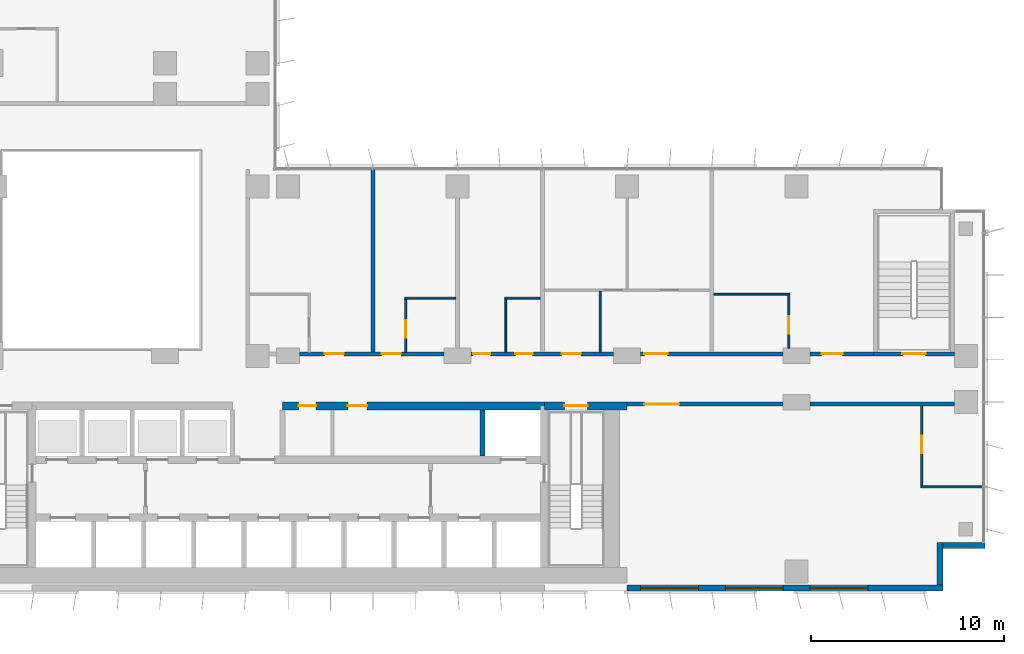
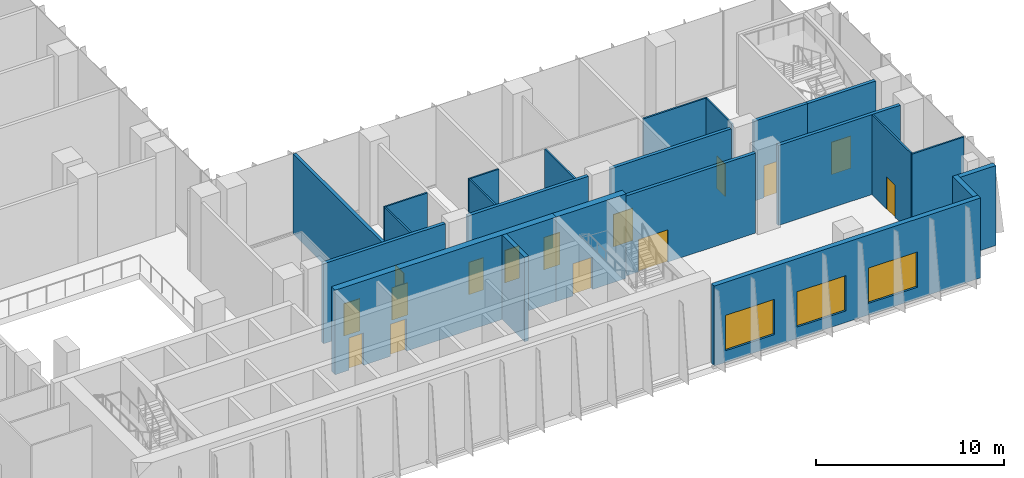
# One storey, part 14 of 26: 23 walls, 15 doors, 3 windows, 18 openings.
"""IFC4 building model written with IfcOpenShell, lengths in metres."""

from ifc_helpers import new_model, si_unit, direction, frame, frame_2d, origin, place, context, subcontext, project, spatial, rectangle, extrude, material, layer, layer_set, type_object, element, fill, save


model = new_model("IFC4")

# Units and contexts
model_context = context("Model", 3, precision=1e-05, world=origin(), true_north=direction((0.0, 1.0)))
body_context = subcontext(model_context, "Body", "Model", "MODEL_VIEW")
ifc_project = project(units=[si_unit("LENGTHUNIT", "METRE"), si_unit("AREAUNIT", "SQUARE_METRE"), si_unit("VOLUMEUNIT", "CUBIC_METRE"), si_unit("PLANEANGLEUNIT", "RADIAN"), si_unit("MASSUNIT", "GRAM", prefix="KILO")], contexts=[model_context])

# Site, building, storey
site_placement = place(None, origin())
site = spatial("IfcSite", under=ifc_project, at=site_placement, CompositionType="ELEMENT")
building_placement = place(site_placement, origin())
building = spatial("IfcBuilding", under=site, at=building_placement, Name="Kemantara Hotel Tower", CompositionType="ELEMENT")
storey_placement = place(building_placement, frame((0.0, 0.0, 101.89990234375)))
storey = spatial("IfcBuildingStorey", under=building, at=storey_placement, Name="L24", CompositionType="ELEMENT", Elevation=101.89990234375)

# Wall, openings, windows
ifc_material_1 = material(Name="Bronze anodised aluminium cladding on insulated steel stud wall", Category="steel")
ifc_layer_1 = layer(ifc_material_1, 0.300048828125)
ifc_layer_set_1 = layer_set([ifc_layer_1], Name="Bronze anodised aluminium cladding on insulated steel stud wall")
wall_type_1 = type_object("IfcWallType", Name="BRONZE METAL-CLAD EXTERNAL WALL 300", PredefinedType="STANDARD", material=ifc_layer_set_1)
wall_1_placement = place(storey_placement, frame((45.0, 0.14990234375, 0.0), z_axis=(0.0, 0.0, 1.0), x_axis=(1.0, 0.0, 0.0)))
wall_1 = element("IfcWall", 1, at=wall_1_placement, inside=storey, type_object=wall_type_1, Name="EXTERNAL WALL L24 T2-R07-3", PredefinedType="STANDARD", context=body_context, shape_type="SweptSolid", body=[
    extrude(rectangle(XDim=16.39990234375, YDim=0.300048828125, at=frame_2d((8.199951171875, 0.0))), origin(), (0.0, 0.0, 1.0), 5.2001953125),
])
opening_1_placement = place(wall_1_placement, frame((0.699951171875, 0.0, 0.75)))
opening_1 = element("IfcOpeningElement", 2, at=opening_1_placement, cuts=wall_1, Name="Opening W1", PredefinedType="OPENING", context=body_context, shape_type="SweptSolid", body=[
    extrude(rectangle(XDim=3.0, YDim=2.300048828125, at=frame_2d((1.5, 1.14990234375))), frame((0.0, 0.159912109375, 0.0), z_axis=(0.0, -1.0, 0.0), x_axis=(1.0, 0.0, 0.0)), (0.0, 0.0, 1.0), 0.320068359375),
])
opening_2_placement = place(wall_1_placement, frame((5.10009765625, 0.0, 0.75)))
opening_2 = element("IfcOpeningElement", 3, at=opening_2_placement, cuts=wall_1, Name="Opening W1", PredefinedType="OPENING", context=body_context, shape_type="SweptSolid", body=[
    extrude(rectangle(XDim=3.0, YDim=2.300048828125, at=frame_2d((1.5, 1.14990234375))), frame((0.0, 0.159912109375, 0.0), z_axis=(0.0, -1.0, 0.0), x_axis=(1.0, 0.0, 0.0)), (0.0, 0.0, 1.0), 0.320068359375),
])
opening_3_placement = place(wall_1_placement, frame((9.5, 0.0, 0.75)))
opening_3 = element("IfcOpeningElement", 4, at=opening_3_placement, cuts=wall_1, Name="Opening W1", PredefinedType="OPENING", context=body_context, shape_type="SweptSolid", body=[
    extrude(rectangle(XDim=3.0, YDim=2.300048828125, at=frame_2d((1.5, 1.14990234375))), frame((0.0, 0.159912109375, 0.0), z_axis=(0.0, -1.0, 0.0), x_axis=(1.0, 0.0, 0.0)), (0.0, 0.0, 1.0), 0.320068359375),
])
ifc_material_2 = material(Name="Low-E tinted double insulated glass in bronze anodised aluminium frame", Category="aluminium")
window_type = type_object("IfcWindowType", Name="CHICAGO WINDOW, TRIPLE PANEL 3000x2300", PartitioningType="TRIPLE_PANEL_VERTICAL", PredefinedType="WINDOW", material=ifc_material_2)
window_1_placement = place(opening_1_placement, origin())
window_1 = element("IfcWindow", 5, at=window_1_placement, inside=storey, type_object=window_type, Name="CHICAGO WINDOW L24 T2-R07-450", OverallHeight=2.300048828125, OverallWidth=3.0, PartitioningType="SINGLE_PANEL", PredefinedType="WINDOW", context=body_context, shape_type="SweptSolid", body=[
    extrude(rectangle(XDim=3.0, YDim=2.300048828125, at=frame_2d((1.5, 1.14990234375))), frame((0.0, 0.030029296875, 0.0), z_axis=(0.0, -1.0, 0.0), x_axis=(1.0, 0.0, 0.0)), (0.0, 0.0, 1.0), 0.06005859375),
])
fill(opening_1, window_1)
window_2_placement = place(opening_2_placement, origin())
window_2 = element("IfcWindow", 6, at=window_2_placement, inside=storey, type_object=window_type, Name="CHICAGO WINDOW L24 T2-R07-494", OverallHeight=2.300048828125, OverallWidth=3.0, PartitioningType="SINGLE_PANEL", PredefinedType="WINDOW", context=body_context, shape_type="SweptSolid", body=[
    extrude(rectangle(XDim=3.0, YDim=2.300048828125, at=frame_2d((1.5, 1.14990234375))), frame((0.0, 0.030029296875, 0.0), z_axis=(0.0, -1.0, 0.0), x_axis=(1.0, 0.0, 0.0)), (0.0, 0.0, 1.0), 0.06005859375),
])
fill(opening_2, window_2)
window_3_placement = place(opening_3_placement, origin())
window_3 = element("IfcWindow", 7, at=window_3_placement, inside=storey, type_object=window_type, Name="CHICAGO WINDOW L24 T2-R07-538", OverallHeight=2.300048828125, OverallWidth=3.0, PartitioningType="SINGLE_PANEL", PredefinedType="WINDOW", context=body_context, shape_type="SweptSolid", body=[
    extrude(rectangle(XDim=3.0, YDim=2.300048828125, at=frame_2d((1.5, 1.14990234375))), frame((0.0, 0.030029296875, 0.0), z_axis=(0.0, -1.0, 0.0), x_axis=(1.0, 0.0, 0.0)), (0.0, 0.0, 1.0), 0.06005859375),
])
fill(opening_3, window_3)

# Walls
wall_2_placement = place(storey_placement, frame((61.25, 0.300048828125, 0.0), z_axis=(0.0, 0.0, 1.0), x_axis=(0.0, 1.0, 0.0)))
element("IfcWall", 8, at=wall_2_placement, inside=storey, type_object=wall_type_1, Name="EXTERNAL WALL L24 T2-R08", PredefinedType="STANDARD", context=body_context, shape_type="SweptSolid", body=[
    extrude(rectangle(XDim=2.199951171875, YDim=0.300048828125, at=frame_2d((1.10009765625, 0.0))), origin(), (0.0, 0.0, 1.0), 5.2001953125),
])
wall_3_placement = place(storey_placement, frame((61.39990234375, 2.35009765625, 0.0), z_axis=(0.0, 0.0, 1.0), x_axis=(1.0, 0.0, 0.0)))
element("IfcWall", 9, at=wall_3_placement, inside=storey, type_object=wall_type_1, Name="EXTERNAL WALL L24 T2-R09", PredefinedType="STANDARD", context=body_context, shape_type="SweptSolid", body=[
    extrude(rectangle(XDim=2.2001953125, YDim=0.300048828125, at=frame_2d((1.10009765625, 0.0))), origin(), (0.0, 0.0, 1.0), 5.2001953125),
])
ifc_material_3 = material(Name="Concrete fc 70 MPa", Category="concrete")
ifc_layer_2 = layer(ifc_material_3, 0.25)
ifc_layer_set_2 = layer_set([ifc_layer_2], Name="Concrete fc 70 MPa")
wall_type_2 = type_object("IfcWallType", Name="CORE WALL 250 FC70", PredefinedType="SHEAR", material=ifc_layer_set_2)
wall_4_placement = place(storey_placement, frame((37.5, 7.0, 0.0), z_axis=(0.0, 0.0, 1.0), x_axis=(0.0, 1.0, 0.0)))
element("IfcWall", 10, at=wall_4_placement, inside=storey, type_object=wall_type_2, Name="CORE WALL CW-DN37.5", PredefinedType="SHEAR", context=body_context, shape_type="SweptSolid", body=[
    extrude(rectangle(XDim=2.39990234375, YDim=0.25, at=frame_2d((1.199951171875, 0.0))), origin(), (0.0, 0.0, 1.0), 5.5),
])

# Wall, opening, door
ifc_layer_3 = layer(ifc_material_3, 0.39990234375)
ifc_layer_set_3 = layer_set([ifc_layer_3], Name="Concrete fc 70 MPa")
wall_type_3 = type_object("IfcWallType", Name="CORE WALL 400 FC70", PredefinedType="SHEAR", material=ifc_layer_set_3)
wall_5_placement = place(storey_placement, frame((40.699951171875, 9.60009765625, 0.0), z_axis=(0.0, 0.0, 1.0), x_axis=(1.0, 0.0, 0.0)))
wall_5 = element("IfcWall", 11, at=wall_5_placement, inside=storey, type_object=wall_type_3, Name="CORE WALL CW-N2", PredefinedType="SHEAR", context=body_context, shape_type="SweptSolid", body=[
    extrude(rectangle(XDim=4.300048828125, YDim=0.39990234375, at=frame_2d((2.14990234375, 0.0))), origin(), (0.0, 0.0, 1.0), 5.5),
])
opening_4_placement = place(wall_5_placement, frame((1.050048828125, 0.0, 0.0)))
opening_4 = element("IfcOpeningElement", 12, at=opening_4_placement, cuts=wall_5, Name="Opening C17-ST2-C", PredefinedType="OPENING", context=body_context, shape_type="SweptSolid", body=[
    extrude(rectangle(XDim=1.199951171875, YDim=2.10009765625, at=frame_2d((0.60009765625, 1.050048828125))), frame((0.0, 0.2099609375, 0.0), z_axis=(0.0, -1.0, 0.0), x_axis=(1.0, 0.0, 0.0)), (0.0, 0.0, 1.0), 0.419921875),
])
ifc_material_4 = material(Name="Steel fire door", Category="steel")
door_type_1 = type_object("IfcDoorType", Name="Fire door FD90 1200 x 2100", OperationType="NOTDEFINED", PredefinedType="DOOR", material=ifc_material_4)
door_1_placement = place(opening_4_placement, frame((1.199951171875, 0.0, 0.0), z_axis=(0.0, 0.0, 1.0), x_axis=(-1.0, 0.0, 0.0)))
door_1 = element("IfcDoor", 13, at=door_1_placement, inside=storey, type_object=door_type_1, Name="Stair ST2 door to corridor", OperationType="SINGLE_SWING_RIGHT", OverallHeight=2.10009765625, OverallWidth=1.199951171875, PredefinedType="DOOR", context=body_context, shape_type="SweptSolid", body=[
    extrude(rectangle(XDim=1.199951171875, YDim=2.10009765625, at=frame_2d((0.60009765625, 1.050048828125))), frame((0.0, 0.02490234375, 0.0), z_axis=(0.0, -1.0, 0.0), x_axis=(1.0, 0.0, 0.0)), (0.0, 0.0, 1.0), 0.050048828125),
])
fill(opening_4, door_1)

# Wall, openings, doors
wall_6_placement = place(storey_placement, frame((27.10009765625, 9.60009765625, 0.0), z_axis=(0.0, 0.0, 1.0), x_axis=(1.0, 0.0, 0.0)))
wall_6 = element("IfcWall", 14, at=wall_6_placement, inside=storey, type_object=wall_type_3, Name="CORE WALL CW-NN2", PredefinedType="SHEAR", context=body_context, shape_type="SweptSolid", body=[
    extrude(rectangle(XDim=13.599853515625, YDim=0.39990234375, at=frame_2d((6.7998046875, 0.0))), origin(), (0.0, 0.0, 1.0), 5.5),
])
opening_5_placement = place(wall_6_placement, frame((0.85009765625, 0.0, 0.0)))
opening_5 = element("IfcOpeningElement", 15, at=opening_5_placement, cuts=wall_6, Name="Opening C17-R-NE1", PredefinedType="OPENING", context=body_context, shape_type="SweptSolid", body=[
    extrude(rectangle(XDim=0.89990234375, YDim=2.10009765625, at=frame_2d((0.449951171875, 1.050048828125))), frame((0.0, 0.2099609375, 0.0), z_axis=(0.0, -1.0, 0.0), x_axis=(1.0, 0.0, 0.0)), (0.0, 0.0, 1.0), 0.419921875),
])
opening_6_placement = place(wall_6_placement, frame((3.39990234375, 0.0, 0.0)))
opening_6 = element("IfcOpeningElement", 16, at=opening_6_placement, cuts=wall_6, Name="Opening C17-R-NE2", PredefinedType="OPENING", context=body_context, shape_type="SweptSolid", body=[
    extrude(rectangle(XDim=1.0, YDim=2.10009765625, at=frame_2d((0.5, 1.050048828125))), frame((0.0, 0.2099609375, 0.0), z_axis=(0.0, -1.0, 0.0), x_axis=(1.0, 0.0, 0.0)), (0.0, 0.0, 1.0), 0.419921875),
])
door_type_2 = type_object("IfcDoorType", Name="Fire door FD30S 1000 x 2100", OperationType="NOTDEFINED", PredefinedType="DOOR", material=ifc_material_4)
door_2_placement = place(opening_6_placement, frame((1.0, 0.0, 0.0), z_axis=(0.0, 0.0, 1.0), x_axis=(-1.0, 0.0, 0.0)))
door_2 = element("IfcDoor", 17, at=door_2_placement, inside=storey, type_object=door_type_2, Name="Housekeeping Store door", OperationType="SINGLE_SWING_RIGHT", OverallHeight=2.10009765625, OverallWidth=1.0, PredefinedType="DOOR", context=body_context, shape_type="SweptSolid", body=[
    extrude(rectangle(XDim=1.0, YDim=2.10009765625, at=frame_2d((0.5, 1.050048828125))), frame((0.0, 0.02490234375, 0.0), z_axis=(0.0, -1.0, 0.0), x_axis=(1.0, 0.0, 0.0)), (0.0, 0.0, 1.0), 0.050048828125),
])
fill(opening_6, door_2)
door_type_3 = type_object("IfcDoorType", Name="Fire door FD30S 900 x 2100", OperationType="NOTDEFINED", PredefinedType="DOOR", material=ifc_material_4)
door_3_placement = place(opening_5_placement, frame((0.89990234375, 0.0, 0.0), z_axis=(0.0, 0.0, 1.0), x_axis=(-1.0, 0.0, 0.0)))
door_3 = element("IfcDoor", 18, at=door_3_placement, inside=storey, type_object=door_type_3, Name="Staff Wc door", OperationType="SINGLE_SWING_RIGHT", OverallHeight=2.10009765625, OverallWidth=0.89990234375, PredefinedType="DOOR", context=body_context, shape_type="SweptSolid", body=[
    extrude(rectangle(XDim=0.89990234375, YDim=2.10009765625, at=frame_2d((0.449951171875, 1.050048828125))), frame((0.0, 0.02490234375, 0.0), z_axis=(0.0, -1.0, 0.0), x_axis=(1.0, 0.0, 0.0)), (0.0, 0.0, 1.0), 0.050048828125),
])
fill(opening_5, door_3)

# Wall, opening, door
ifc_material_5 = material(Name="Gypsum board partition, steel studs and mineral wool, 200 mm", Category="steel")
ifc_layer_4 = layer(ifc_material_5, 0.199951171875)
ifc_layer_set_4 = layer_set([ifc_layer_4], Name="Gypsum board partition, steel studs and mineral wool, 200 mm")
wall_type_4 = type_object("IfcWallType", Name="CORRIDOR WALL 200", PredefinedType="PARTITIONING", material=ifc_layer_set_4)
wall_7_placement = place(storey_placement, frame((53.099853515625, 9.699951171875, 0.0), z_axis=(0.0, 0.0, 1.0), x_axis=(-1.0, 0.0, 0.0)))
wall_7 = element("IfcWall", 19, at=wall_7_placement, inside=storey, type_object=wall_type_4, Name="CORRIDOR WALL 200 001", PredefinedType="PARTITIONING", context=body_context, shape_type="SweptSolid", body=[
    extrude(rectangle(XDim=8.099853515625, YDim=0.199951171875, at=frame_2d((4.0498046875, 0.0))), origin(), (0.0, 0.0, 1.0), 5.2001953125),
])
opening_7_placement = place(wall_7_placement, frame((5.39990234375, 0.0, 0.0)))
opening_7 = element("IfcOpeningElement", 20, at=opening_7_placement, cuts=wall_7, Name="Opening F10-001", PredefinedType="OPENING", context=body_context, shape_type="SweptSolid", body=[
    extrude(rectangle(XDim=1.800048828125, YDim=2.10009765625, at=frame_2d((0.89990234375, 1.050048828125))), frame((0.0, 0.10986328125, 0.0), z_axis=(0.0, -1.0, 0.0), x_axis=(1.0, 0.0, 0.0)), (0.0, 0.0, 1.0), 0.219970703125),
])
ifc_material_6 = material(Name="Hardwood veneer door leaf with steel frame", Category="steel")
door_type_4 = type_object("IfcDoorType", Name="AMENITY ROOM DOOR 1800 X 2100 FD30S", OperationType="NOTDEFINED", PredefinedType="DOOR", material=ifc_material_6)
door_4_placement = place(opening_7_placement, origin())
door_4 = element("IfcDoor", 21, at=door_4_placement, inside=storey, type_object=door_type_4, Name="AMENITY ROOM DOOR F10-001", OperationType="DOUBLE_DOOR_SINGLE_SWING", OverallHeight=2.10009765625, OverallWidth=1.800048828125, PredefinedType="DOOR", context=body_context, shape_type="SweptSolid", body=[
    extrude(rectangle(XDim=1.800048828125, YDim=2.10009765625, at=frame_2d((0.89990234375, 1.050048828125))), frame((0.0, 0.02490234375, 0.0), z_axis=(0.0, -1.0, 0.0), x_axis=(1.0, 0.0, 0.0)), (0.0, 0.0, 1.0), 0.050048828125),
])
fill(opening_7, door_4)

# Wall
wall_8_placement = place(storey_placement, frame((54.5, 9.699951171875, 0.0), z_axis=(0.0, 0.0, 1.0), x_axis=(1.0, 0.0, 0.0)))
element("IfcWall", 22, at=wall_8_placement, inside=storey, type_object=wall_type_4, Name="CORRIDOR WALL 200 002", PredefinedType="PARTITIONING", context=body_context, shape_type="SweptSolid", body=[
    extrude(rectangle(XDim=7.5, YDim=0.199951171875, at=frame_2d((3.75, 0.0))), origin(), (0.0, 0.0, 1.0), 5.2001953125),
])

# Wall, openings, doors
wall_9_placement = place(storey_placement, frame((28.0, 12.300048828125, 0.0), z_axis=(0.0, 0.0, 1.0), x_axis=(1.0, 0.0, 0.0)))
wall_9 = element("IfcWall", 23, at=wall_9_placement, inside=storey, type_object=wall_type_4, Name="CORRIDOR WALL 200 004", PredefinedType="PARTITIONING", context=body_context, shape_type="SweptSolid", body=[
    extrude(rectangle(XDim=7.5, YDim=0.199951171875, at=frame_2d((3.75, 0.0))), origin(), (0.0, 0.0, 1.0), 5.2001953125),
])
opening_8_placement = place(wall_9_placement, frame((1.2998046875, 0.0, 0.0)))
opening_8 = element("IfcOpeningElement", 24, at=opening_8_placement, cuts=wall_9, Name="Opening F10-003", PredefinedType="OPENING", context=body_context, shape_type="SweptSolid", body=[
    extrude(rectangle(XDim=1.0, YDim=2.10009765625, at=frame_2d((0.5, 1.050048828125))), frame((0.0, 0.10986328125, 0.0), z_axis=(0.0, -1.0, 0.0), x_axis=(1.0, 0.0, 0.0)), (0.0, 0.0, 1.0), 0.219970703125),
])
opening_9_placement = place(wall_9_placement, frame((4.25, 0.0, 0.0)))
opening_9 = element("IfcOpeningElement", 25, at=opening_9_placement, cuts=wall_9, Name="Opening F10-005", PredefinedType="OPENING", context=body_context, shape_type="SweptSolid", body=[
    extrude(rectangle(XDim=1.0, YDim=2.10009765625, at=frame_2d((0.5, 1.050048828125))), frame((0.0, 0.10986328125, 0.0), z_axis=(0.0, -1.0, 0.0), x_axis=(1.0, 0.0, 0.0)), (0.0, 0.0, 1.0), 0.219970703125),
])
door_type_5 = type_object("IfcDoorType", Name="GUEST ROOM DOOR 1000 X 2100 FD30S", OperationType="NOTDEFINED", PredefinedType="DOOR", material=ifc_material_6)
door_5_placement = place(opening_8_placement, origin())
door_5 = element("IfcDoor", 26, at=door_5_placement, inside=storey, type_object=door_type_5, Name="GUEST ROOM DOOR F10-003", OperationType="SINGLE_SWING_RIGHT", OverallHeight=2.10009765625, OverallWidth=1.0, PredefinedType="DOOR", context=body_context, shape_type="SweptSolid", body=[
    extrude(rectangle(XDim=1.0, YDim=2.10009765625, at=frame_2d((0.5, 1.050048828125))), frame((0.0, 0.02490234375, 0.0), z_axis=(0.0, -1.0, 0.0), x_axis=(1.0, 0.0, 0.0)), (0.0, 0.0, 1.0), 0.050048828125),
])
fill(opening_8, door_5)
door_6_placement = place(opening_9_placement, origin())
door_6 = element("IfcDoor", 27, at=door_6_placement, inside=storey, type_object=door_type_5, Name="GUEST ROOM DOOR F10-005", OperationType="SINGLE_SWING_LEFT", OverallHeight=2.10009765625, OverallWidth=1.0, PredefinedType="DOOR", context=body_context, shape_type="SweptSolid", body=[
    extrude(rectangle(XDim=1.0, YDim=2.10009765625, at=frame_2d((0.5, 1.050048828125))), frame((0.0, 0.02490234375, 0.0), z_axis=(0.0, -1.0, 0.0), x_axis=(1.0, 0.0, 0.0)), (0.0, 0.0, 1.0), 0.050048828125),
])
fill(opening_9, door_6)

wall_10_placement = place(storey_placement, frame((36.900146484375, 12.300048828125, 0.0), z_axis=(0.0, 0.0, 1.0), x_axis=(1.0, 0.0, 0.0)))
wall_10 = element("IfcWall", 28, at=wall_10_placement, inside=storey, type_object=wall_type_4, Name="CORRIDOR WALL 200 005", PredefinedType="PARTITIONING", context=body_context, shape_type="SweptSolid", body=[
    extrude(rectangle(XDim=7.399658203125, YDim=0.199951171875, at=frame_2d((3.69970703125, 0.0))), origin(), (0.0, 0.0, 1.0), 5.2001953125),
])
opening_10_placement = place(wall_10_placement, frame((0.099853515625, 0.0, 0.0)))
opening_10 = element("IfcOpeningElement", 29, at=opening_10_placement, cuts=wall_10, Name="Opening F10-007", PredefinedType="OPENING", context=body_context, shape_type="SweptSolid", body=[
    extrude(rectangle(XDim=0.89990234375, YDim=2.10009765625, at=frame_2d((0.449951171875, 1.050048828125))), frame((0.0, 0.10986328125, 0.0), z_axis=(0.0, -1.0, 0.0), x_axis=(1.0, 0.0, 0.0)), (0.0, 0.0, 1.0), 0.219970703125),
])
opening_11_placement = place(wall_10_placement, frame((2.2998046875, 0.0, 0.0)))
opening_11 = element("IfcOpeningElement", 30, at=opening_11_placement, cuts=wall_10, Name="Opening F10-008", PredefinedType="OPENING", context=body_context, shape_type="SweptSolid", body=[
    extrude(rectangle(XDim=0.89990234375, YDim=2.10009765625, at=frame_2d((0.449951171875, 1.050048828125))), frame((0.0, 0.10986328125, 0.0), z_axis=(0.0, -1.0, 0.0), x_axis=(1.0, 0.0, 0.0)), (0.0, 0.0, 1.0), 0.219970703125),
])
opening_12_placement = place(wall_10_placement, frame((4.699951171875, 0.0, 0.0)))
opening_12 = element("IfcOpeningElement", 31, at=opening_12_placement, cuts=wall_10, Name="Opening F10-009", PredefinedType="OPENING", context=body_context, shape_type="SweptSolid", body=[
    extrude(rectangle(XDim=1.0, YDim=2.10009765625, at=frame_2d((0.5, 1.050048828125))), frame((0.0, 0.10986328125, 0.0), z_axis=(0.0, -1.0, 0.0), x_axis=(1.0, 0.0, 0.0)), (0.0, 0.0, 1.0), 0.219970703125),
])
ifc_material_7 = material(Name="Steel door leaf with steel frame", Category="steel")
door_type_6 = type_object("IfcDoorType", Name="SERVICE ROOM DOOR 1000 X 2100 FD60", OperationType="NOTDEFINED", PredefinedType="DOOR", material=ifc_material_7)
door_7_placement = place(opening_12_placement, origin())
door_7 = element("IfcDoor", 32, at=door_7_placement, inside=storey, type_object=door_type_6, Name="SERVICE ROOM DOOR F10-009", OperationType="SINGLE_SWING_LEFT", OverallHeight=2.10009765625, OverallWidth=1.0, PredefinedType="DOOR", context=body_context, shape_type="SweptSolid", body=[
    extrude(rectangle(XDim=1.0, YDim=2.10009765625, at=frame_2d((0.5, 1.050048828125))), frame((0.0, 0.02490234375, 0.0), z_axis=(0.0, -1.0, 0.0), x_axis=(1.0, 0.0, 0.0)), (0.0, 0.0, 1.0), 0.050048828125),
])
fill(opening_12, door_7)
door_type_7 = type_object("IfcDoorType", Name="SERVICE ROOM DOOR 900 X 2100 FD60", OperationType="NOTDEFINED", PredefinedType="DOOR", material=ifc_material_7)
door_8_placement = place(opening_10_placement, origin())
door_8 = element("IfcDoor", 33, at=door_8_placement, inside=storey, type_object=door_type_7, Name="SERVICE ROOM DOOR F10-007", OperationType="SINGLE_SWING_LEFT", OverallHeight=2.10009765625, OverallWidth=0.89990234375, PredefinedType="DOOR", context=body_context, shape_type="SweptSolid", body=[
    extrude(rectangle(XDim=0.89990234375, YDim=2.10009765625, at=frame_2d((0.449951171875, 1.050048828125))), frame((0.0, 0.02490234375, 0.0), z_axis=(0.0, -1.0, 0.0), x_axis=(1.0, 0.0, 0.0)), (0.0, 0.0, 1.0), 0.050048828125),
])
fill(opening_10, door_8)
door_9_placement = place(opening_11_placement, origin())
door_9 = element("IfcDoor", 34, at=door_9_placement, inside=storey, type_object=door_type_7, Name="SERVICE ROOM DOOR F10-008", OperationType="SINGLE_SWING_RIGHT", OverallHeight=2.10009765625, OverallWidth=0.89990234375, PredefinedType="DOOR", context=body_context, shape_type="SweptSolid", body=[
    extrude(rectangle(XDim=0.89990234375, YDim=2.10009765625, at=frame_2d((0.449951171875, 1.050048828125))), frame((0.0, 0.02490234375, 0.0), z_axis=(0.0, -1.0, 0.0), x_axis=(1.0, 0.0, 0.0)), (0.0, 0.0, 1.0), 0.050048828125),
])
fill(opening_11, door_9)

# Wall, opening, door
wall_11_placement = place(storey_placement, frame((45.7001953125, 12.300048828125, 0.0), z_axis=(0.0, 0.0, 1.0), x_axis=(1.0, 0.0, 0.0)))
wall_11 = element("IfcWall", 35, at=wall_11_placement, inside=storey, type_object=wall_type_4, Name="CORRIDOR WALL 200 006", PredefinedType="PARTITIONING", context=body_context, shape_type="SweptSolid", body=[
    extrude(rectangle(XDim=7.399658203125, YDim=0.199951171875, at=frame_2d((3.69970703125, 0.0))), origin(), (0.0, 0.0, 1.0), 5.2001953125),
])
opening_13_placement = place(wall_11_placement, frame((0.199951171875, 0.0, 0.0)))
opening_13 = element("IfcOpeningElement", 36, at=opening_13_placement, cuts=wall_11, Name="Opening F10-010", PredefinedType="OPENING", context=body_context, shape_type="SweptSolid", body=[
    extrude(rectangle(XDim=1.199951171875, YDim=2.10009765625, at=frame_2d((0.60009765625, 1.050048828125))), frame((0.0, 0.10986328125, 0.0), z_axis=(0.0, -1.0, 0.0), x_axis=(1.0, 0.0, 0.0)), (0.0, 0.0, 1.0), 0.219970703125),
])
door_type_8 = type_object("IfcDoorType", Name="GUEST ROOM DOOR 1200 X 2100 FD30S", OperationType="NOTDEFINED", PredefinedType="DOOR", material=ifc_material_6)
door_10_placement = place(opening_13_placement, origin())
door_10 = element("IfcDoor", 37, at=door_10_placement, inside=storey, type_object=door_type_8, Name="GUEST ROOM DOOR F10-010", OperationType="SINGLE_SWING_RIGHT", OverallHeight=2.10009765625, OverallWidth=1.199951171875, PredefinedType="DOOR", context=body_context, shape_type="SweptSolid", body=[
    extrude(rectangle(XDim=1.199951171875, YDim=2.10009765625, at=frame_2d((0.60009765625, 1.050048828125))), frame((0.0, 0.02490234375, 0.0), z_axis=(0.0, -1.0, 0.0), x_axis=(1.0, 0.0, 0.0)), (0.0, 0.0, 1.0), 0.050048828125),
])
fill(opening_13, door_10)

wall_12_placement = place(storey_placement, frame((54.5, 12.300048828125, 0.0), z_axis=(0.0, 0.0, 1.0), x_axis=(1.0, 0.0, 0.0)))
wall_12 = element("IfcWall", 38, at=wall_12_placement, inside=storey, type_object=wall_type_4, Name="CORRIDOR WALL 200 007", PredefinedType="PARTITIONING", context=body_context, shape_type="SweptSolid", body=[
    extrude(rectangle(XDim=3.300048828125, YDim=0.199951171875, at=frame_2d((1.64990234375, 0.0))), origin(), (0.0, 0.0, 1.0), 5.2001953125),
])
opening_14_placement = place(wall_12_placement, frame((0.599853515625, 0.0, 0.0)))
opening_14 = element("IfcOpeningElement", 39, at=opening_14_placement, cuts=wall_12, Name="Opening F10-013", PredefinedType="OPENING", context=body_context, shape_type="SweptSolid", body=[
    extrude(rectangle(XDim=1.10009765625, YDim=2.10009765625, at=frame_2d((0.550048828125, 1.050048828125))), frame((0.0, 0.10986328125, 0.0), z_axis=(0.0, -1.0, 0.0), x_axis=(1.0, 0.0, 0.0)), (0.0, 0.0, 1.0), 0.219970703125),
])
door_type_9 = type_object("IfcDoorType", Name="SUITE ENTRANCE DOOR 1100 X 2100 FD30S", OperationType="NOTDEFINED", PredefinedType="DOOR", material=ifc_material_6)
door_11_placement = place(opening_14_placement, origin())
door_11 = element("IfcDoor", 40, at=door_11_placement, inside=storey, type_object=door_type_9, Name="SUITE ENTRANCE DOOR F10-013", OperationType="SINGLE_SWING_RIGHT", OverallHeight=2.10009765625, OverallWidth=1.10009765625, PredefinedType="DOOR", context=body_context, shape_type="SweptSolid", body=[
    extrude(rectangle(XDim=1.10009765625, YDim=2.10009765625, at=frame_2d((0.550048828125, 1.050048828125))), frame((0.0, 0.02490234375, 0.0), z_axis=(0.0, -1.0, 0.0), x_axis=(1.0, 0.0, 0.0)), (0.0, 0.0, 1.0), 0.050048828125),
])
fill(opening_14, door_11)

ifc_material_8 = material(Name="Concrete fc 40 MPa", Category="concrete")
ifc_layer_5 = layer(ifc_material_8, 0.199951171875)
ifc_layer_set_5 = layer_set([ifc_layer_5], Name="Concrete fc 40 MPa")
wall_type_5 = type_object("IfcWallType", Name="Concrete stair wall 200 mm", PredefinedType="SHEAR", material=ifc_layer_set_5)
wall_13_placement = place(storey_placement, frame((57.800048828125, 12.300048828125, 0.0), z_axis=(0.0, 0.0, 1.0), x_axis=(1.0, 0.0, 0.0)))
wall_13 = element("IfcWall", 41, at=wall_13_placement, inside=storey, type_object=wall_type_5, Name="Stair ST3 enclosure wall with door", PredefinedType="SHEAR", context=body_context, shape_type="SweptSolid", body=[
    extrude(rectangle(XDim=4.199951171875, YDim=0.199951171875, at=frame_2d((2.10009765625, 0.0))), origin(), (0.0, 0.0, 1.0), 5.2001953125),
])
opening_15_placement = place(wall_13_placement, frame((1.5, 0.0, 0.0)))
opening_15 = element("IfcOpeningElement", 42, at=opening_15_placement, cuts=wall_13, Name="Opening ST3-C", PredefinedType="OPENING", context=body_context, shape_type="SweptSolid", body=[
    extrude(rectangle(XDim=1.199951171875, YDim=2.10009765625, at=frame_2d((0.60009765625, 1.050048828125))), frame((0.0, 0.10986328125, 0.0), z_axis=(0.0, -1.0, 0.0), x_axis=(1.0, 0.0, 0.0)), (0.0, 0.0, 1.0), 0.219970703125),
])
door_12_placement = place(opening_15_placement, origin())
door_12 = element("IfcDoor", 43, at=door_12_placement, inside=storey, type_object=door_type_1, Name="Stair ST3 door", OperationType="SINGLE_SWING_RIGHT", OverallHeight=2.10009765625, OverallWidth=1.199951171875, PredefinedType="DOOR", context=body_context, shape_type="SweptSolid", body=[
    extrude(rectangle(XDim=1.199951171875, YDim=2.10009765625, at=frame_2d((0.60009765625, 1.050048828125))), frame((0.0, 0.02490234375, 0.0), z_axis=(0.0, -1.0, 0.0), x_axis=(1.0, 0.0, 0.0)), (0.0, 0.0, 1.0), 0.050048828125),
])
fill(opening_15, door_12)

# Walls
ifc_layer_6 = layer(ifc_material_5, 0.199951171875)
ifc_layer_set_6 = layer_set([ifc_layer_6], Name="Gypsum board partition, steel studs and mineral wool, 200 mm")
wall_type_6 = type_object("IfcWallType", Name="GUEST ROOM PARTY WALL 200", PredefinedType="PARTITIONING", material=ifc_layer_set_6)
wall_14_placement = place(storey_placement, frame((31.800048828125, 12.39990234375, 0.0), z_axis=(0.0, 0.0, 1.0), x_axis=(0.0, 1.0, 0.0)))
element("IfcWall", 44, at=wall_14_placement, inside=storey, type_object=wall_type_6, Name="GUEST ROOM PARTY WALL 200 010", PredefinedType="PARTITIONING", context=body_context, shape_type="SweptSolid", body=[
    extrude(rectangle(XDim=9.47021484375, YDim=0.199951171875, at=frame_2d((4.735107421875, 0.0))), origin(), (0.0, 0.0, 1.0), 5.2001953125),
])
ifc_material_9 = material(Name="Gypsum board partition on steel studs, 100 mm", Category="steel")
ifc_layer_7 = layer(ifc_material_9, 0.10009765625)
ifc_layer_set_7 = layer_set([ifc_layer_7], Name="Gypsum board partition on steel studs, 100 mm")
wall_type_7 = type_object("IfcWallType", Name="ROOM PARTITION 100", PredefinedType="PARTITIONING", material=ifc_layer_set_7)
wall_15_placement = place(storey_placement, frame((60.25, 5.39990234375, 0.0), z_axis=(0.0, 0.0, 1.0), x_axis=(1.0, 0.0, 0.0)))
element("IfcWall", 45, at=wall_15_placement, inside=storey, type_object=wall_type_7, Name="ROOM PARTITION 100 050", PredefinedType="PARTITIONING", context=body_context, shape_type="SweptSolid", body=[
    extrude(rectangle(XDim=3.219970703125, YDim=0.10009765625, at=frame_2d((1.60986328125, 0.0))), origin(), (0.0, 0.0, 1.0), 5.2001953125),
])

# Wall, opening, door
wall_16_placement = place(storey_placement, frame((60.300048828125, 9.60009765625, 0.0), z_axis=(0.0, 0.0, 1.0), x_axis=(0.0, -1.0, 0.0)))
wall_16 = element("IfcWall", 46, at=wall_16_placement, inside=storey, type_object=wall_type_7, Name="ROOM PARTITION 100 051", PredefinedType="PARTITIONING", context=body_context, shape_type="SweptSolid", body=[
    extrude(rectangle(XDim=4.150146484375, YDim=0.10009765625, at=frame_2d((2.0751953125, 0.0))), origin(), (0.0, 0.0, 1.0), 5.2001953125),
])
opening_16_placement = place(wall_16_placement, frame((1.550048828125, 0.0, 0.0)))
opening_16 = element("IfcOpeningElement", 47, at=opening_16_placement, cuts=wall_16, Name="Opening F10-002", PredefinedType="OPENING", context=body_context, shape_type="SweptSolid", body=[
    extrude(rectangle(XDim=0.89990234375, YDim=2.10009765625, at=frame_2d((0.449951171875, 1.050048828125))), frame((0.0, 0.06005859375, 0.0), z_axis=(0.0, -1.0, 0.0), x_axis=(1.0, 0.0, 0.0)), (0.0, 0.0, 1.0), 0.1201171875),
])
door_type_10 = type_object("IfcDoorType", Name="PANTRY DOOR 900 X 2100", OperationType="NOTDEFINED", PredefinedType="DOOR", material=ifc_material_6)
door_13_placement = place(opening_16_placement, origin())
door_13 = element("IfcDoor", 48, at=door_13_placement, inside=storey, type_object=door_type_10, Name="PANTRY DOOR F10-002", OperationType="SINGLE_SWING_LEFT", OverallHeight=2.10009765625, OverallWidth=0.89990234375, PredefinedType="DOOR", context=body_context, shape_type="SweptSolid", body=[
    extrude(rectangle(XDim=0.89990234375, YDim=2.10009765625, at=frame_2d((0.449951171875, 1.050048828125))), frame((0.0, 0.02490234375, 0.0), z_axis=(0.0, -1.0, 0.0), x_axis=(1.0, 0.0, 0.0)), (0.0, 0.0, 1.0), 0.050048828125),
])
fill(opening_16, door_13)

# Walls
wall_17_placement = place(storey_placement, frame((49.5, 15.39990234375, 0.0), z_axis=(0.0, 0.0, 1.0), x_axis=(1.0, 0.0, 0.0)))
element("IfcWall", 49, at=wall_17_placement, inside=storey, type_object=wall_type_7, Name="ROOM PARTITION 100 053", PredefinedType="PARTITIONING", context=body_context, shape_type="SweptSolid", body=[
    extrude(rectangle(XDim=3.949951171875, YDim=0.10009765625, at=frame_2d((1.97509765625, 0.0))), origin(), (0.0, 0.0, 1.0), 5.2001953125),
])
wall_18_placement = place(storey_placement, frame((33.449951171875, 15.199951171875, 0.0), z_axis=(0.0, 0.0, 1.0), x_axis=(1.0, 0.0, 0.0)))
element("IfcWall", 50, at=wall_18_placement, inside=storey, type_object=wall_type_7, Name="ROOM PARTITION 100 055", PredefinedType="PARTITIONING", context=body_context, shape_type="SweptSolid", body=[
    extrude(rectangle(XDim=2.650146484375, YDim=0.10009765625, at=frame_2d((1.3251953125, 0.0))), origin(), (0.0, 0.0, 1.0), 5.2001953125),
])
wall_19_placement = place(storey_placement, frame((38.64990234375, 15.199951171875, 0.0), z_axis=(0.0, 0.0, 1.0), x_axis=(1.0, 0.0, 0.0)))
element("IfcWall", 51, at=wall_19_placement, inside=storey, type_object=wall_type_7, Name="ROOM PARTITION 100 056", PredefinedType="PARTITIONING", context=body_context, shape_type="SweptSolid", body=[
    extrude(rectangle(XDim=1.85009765625, YDim=0.10009765625, at=frame_2d((0.925048828125, 0.0))), origin(), (0.0, 0.0, 1.0), 5.2001953125),
])

# Wall, opening, door
wall_20_placement = place(storey_placement, frame((33.5, 15.14990234375, 0.0), z_axis=(0.0, 0.0, 1.0), x_axis=(0.0, -1.0, 0.0)))
wall_20 = element("IfcWall", 52, at=wall_20_placement, inside=storey, type_object=wall_type_7, Name="ROOM PARTITION 100 057", PredefinedType="PARTITIONING", context=body_context, shape_type="SweptSolid", body=[
    extrude(rectangle(XDim=2.75, YDim=0.10009765625, at=frame_2d((1.375, 0.0))), origin(), (0.0, 0.0, 1.0), 5.2001953125),
])
opening_17_placement = place(wall_20_placement, frame((1.10009765625, 0.0, 0.0)))
opening_17 = element("IfcOpeningElement", 53, at=opening_17_placement, cuts=wall_20, Name="Opening F10-006", PredefinedType="OPENING", context=body_context, shape_type="SweptSolid", body=[
    extrude(rectangle(XDim=0.89990234375, YDim=2.10009765625, at=frame_2d((0.449951171875, 1.050048828125))), frame((0.0, 0.06005859375, 0.0), z_axis=(0.0, -1.0, 0.0), x_axis=(1.0, 0.0, 0.0)), (0.0, 0.0, 1.0), 0.1201171875),
])
door_type_11 = type_object("IfcDoorType", Name="BATHROOM DOOR 900 X 2100", OperationType="NOTDEFINED", PredefinedType="DOOR", material=ifc_material_6)
door_14_placement = place(opening_17_placement, origin())
door_14 = element("IfcDoor", 54, at=door_14_placement, inside=storey, type_object=door_type_11, Name="BATHROOM DOOR F10-006", OperationType="SINGLE_SWING_RIGHT", OverallHeight=2.10009765625, OverallWidth=0.89990234375, PredefinedType="DOOR", context=body_context, shape_type="SweptSolid", body=[
    extrude(rectangle(XDim=0.89990234375, YDim=2.10009765625, at=frame_2d((0.449951171875, 1.050048828125))), frame((0.0, 0.02490234375, 0.0), z_axis=(0.0, -1.0, 0.0), x_axis=(1.0, 0.0, 0.0)), (0.0, 0.0, 1.0), 0.050048828125),
])
fill(opening_17, door_14)

# Walls
wall_21_placement = place(storey_placement, frame((38.699951171875, 12.39990234375, 0.0), z_axis=(0.0, 0.0, 1.0), x_axis=(0.0, 1.0, 0.0)))
element("IfcWall", 55, at=wall_21_placement, inside=storey, type_object=wall_type_7, Name="ROOM PARTITION 100 058", PredefinedType="PARTITIONING", context=body_context, shape_type="SweptSolid", body=[
    extrude(rectangle(XDim=2.75, YDim=0.10009765625, at=frame_2d((1.375, 0.0))), origin(), (0.0, 0.0, 1.0), 5.2001953125),
])
wall_22_placement = place(storey_placement, frame((43.60009765625, 12.39990234375, 0.0), z_axis=(0.0, 0.0, 1.0), x_axis=(0.0, 1.0, 0.0)))
element("IfcWall", 56, at=wall_22_placement, inside=storey, type_object=wall_type_7, Name="ROOM PARTITION 100 060", PredefinedType="PARTITIONING", context=body_context, shape_type="SweptSolid", body=[
    extrude(rectangle(XDim=3.150146484375, YDim=0.10009765625, at=frame_2d((1.5751953125, 0.0))), origin(), (0.0, 0.0, 1.0), 5.2001953125),
])

# Wall, opening, door
wall_23_placement = place(storey_placement, frame((53.39990234375, 12.60009765625, 0.0), z_axis=(0.0, 0.0, 1.0), x_axis=(0.0, 1.0, 0.0)))
wall_23 = element("IfcWall", 57, at=wall_23_placement, inside=storey, type_object=wall_type_7, Name="ROOM PARTITION 100 062", PredefinedType="PARTITIONING", context=body_context, shape_type="SweptSolid", body=[
    extrude(rectangle(XDim=2.75, YDim=0.10009765625, at=frame_2d((1.375, 0.0))), origin(), (0.0, 0.0, 1.0), 5.2001953125),
])
opening_18_placement = place(wall_23_placement, frame((0.75, 0.0, 0.0)))
opening_18 = element("IfcOpeningElement", 58, at=opening_18_placement, cuts=wall_23, Name="Opening F10-014", PredefinedType="OPENING", context=body_context, shape_type="SweptSolid", body=[
    extrude(rectangle(XDim=0.89990234375, YDim=2.10009765625, at=frame_2d((0.449951171875, 1.050048828125))), frame((0.0, 0.06005859375, 0.0), z_axis=(0.0, -1.0, 0.0), x_axis=(1.0, 0.0, 0.0)), (0.0, 0.0, 1.0), 0.1201171875),
])
door_15_placement = place(opening_18_placement, origin())
door_15 = element("IfcDoor", 59, at=door_15_placement, inside=storey, type_object=door_type_11, Name="BATHROOM DOOR F10-014", OperationType="SINGLE_SWING_LEFT", OverallHeight=2.10009765625, OverallWidth=0.89990234375, PredefinedType="DOOR", context=body_context, shape_type="SweptSolid", body=[
    extrude(rectangle(XDim=0.89990234375, YDim=2.10009765625, at=frame_2d((0.449951171875, 1.050048828125))), frame((0.0, 0.02490234375, 0.0), z_axis=(0.0, -1.0, 0.0), x_axis=(1.0, 0.0, 0.0)), (0.0, 0.0, 1.0), 0.050048828125),
])
fill(opening_18, door_15)

save(model, "model.ifc")
